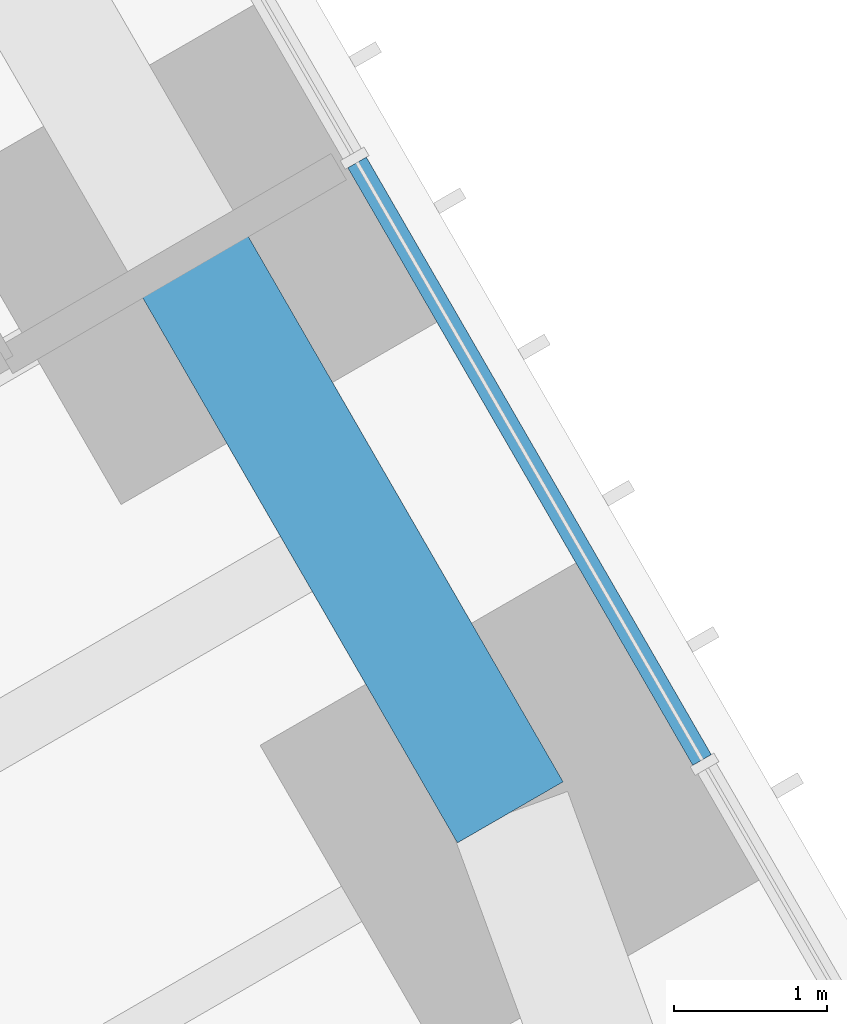
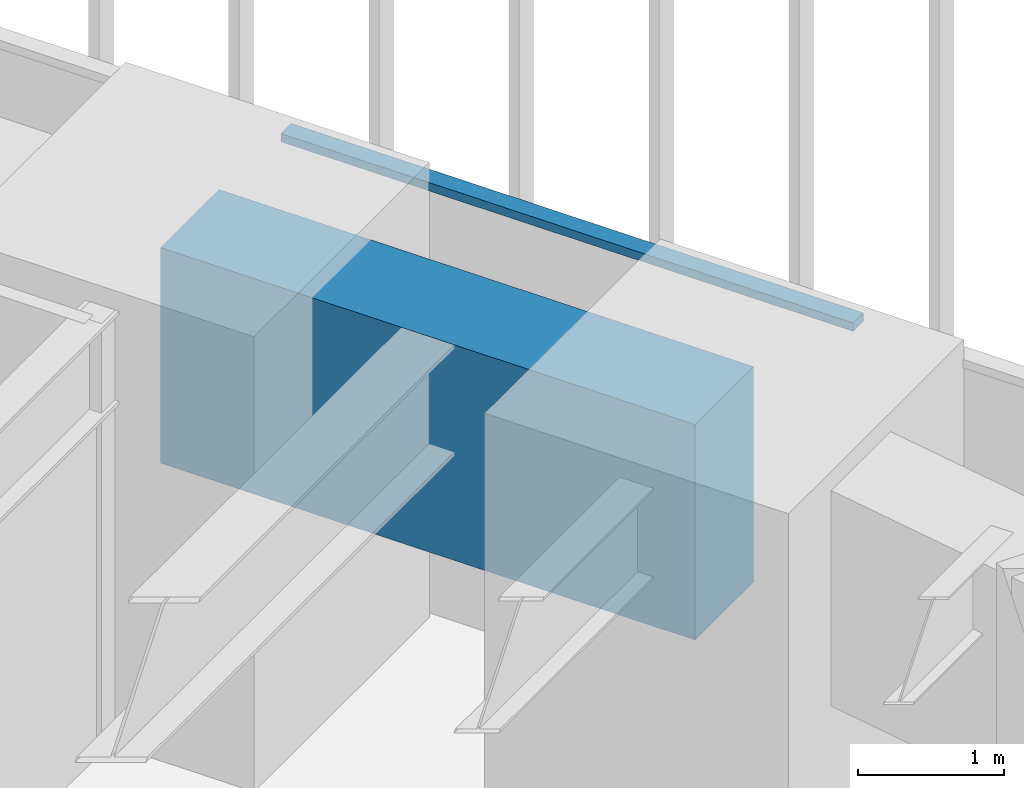
# One storey, part 205 of 256: 1 beam, 1 member, 1 element without a shape of its own.
"""IFC4 building model written with IfcOpenShell, lengths in metres."""

from ifc_helpers import new_model, si_unit, direction, frame, origin, origin_2d, place, context, subcontext, project, spatial, rectangle, extrude, material, material_profile, profile_set, type_object, element, aggregate, save


model = new_model("IFC4")

# Units and contexts
model_context = context("Model", 3, precision=1e-05, world=origin(), true_north=direction((0.0, 1.0)))
body_context = subcontext(model_context, "Body", "Model", "MODEL_VIEW")
ifc_project = project(units=[si_unit("LENGTHUNIT", "METRE"), si_unit("AREAUNIT", "SQUARE_METRE"), si_unit("VOLUMEUNIT", "CUBIC_METRE"), si_unit("PLANEANGLEUNIT", "RADIAN"), si_unit("MASSUNIT", "GRAM", prefix="KILO")], contexts=[model_context])

# Site, building, storey
site_placement = place(None, origin())
site = spatial("IfcSite", under=ifc_project, at=site_placement, CompositionType="ELEMENT")
building_placement = place(site_placement, origin())
building = spatial("IfcBuilding", under=site, at=building_placement, Name="Sandreach Pilgrim Tower", CompositionType="ELEMENT")
storey_placement = place(building_placement, frame((0.0, 0.0, 23.0)))
storey = spatial("IfcBuildingStorey", under=building, at=storey_placement, Name="L04", CompositionType="ELEMENT", Elevation=23.0)

# Curtain wall, member
ifc_material_1 = material(Name="Aluminium framed curtain wall", Category="aluminium")
curtain_wall_type = type_object("IfcCurtainWallType", Name="Hostel tower curtain wall", PredefinedType="NOTDEFINED", material=ifc_material_1)
curtain_wall_placement = place(storey_placement, origin())
curtain_wall = element("IfcCurtainWall", 1, at=curtain_wall_placement, inside=storey, type_object=curtain_wall_type, Name="CW-1 L04 NE", PredefinedType="NOTDEFINED")
ifc_material_2 = material(Name="Aluminium extrusion", Category="aluminium")
ifc_material_profile_1 = material_profile(ifc_material_2, rectangle(XDim=0.139892578125, YDim=0.070068359375, at=origin_2d()), Name="CW-1T 140X70")
ifc_profile_set_1 = profile_set([ifc_material_profile_1], Name="Aluminium extrusion")
member_type = type_object("IfcMemberType", Name="CW-1 transom", PredefinedType="USERDEFINED", material=ifc_profile_set_1)
member_placement = place(storey_placement, frame((26.00634765625, 14.977294921875, 3.60498046875), z_axis=(0.500001366228, -0.866024614991, 0.0), x_axis=(0.866024614991, 0.500001366228, 0.0)))
member = element("IfcMember", 2, at=member_placement, type_object=member_type, Name="CW-1 head transom 3", ObjectType="TRANSOM", PredefinedType="USERDEFINED", context=body_context, shape_type="SweptSolid", body=[
    extrude(rectangle(XDim=0.139892578125, YDim=0.070068359375, at=origin_2d()), origin(), (0.0, 0.0, 1.0), 4.52099609375),
])
aggregate(curtain_wall, [member])

# Beam
ifc_material_3 = material(Name="Concrete 10000 psi", Category="concrete")
ifc_material_profile_2 = material_profile(ifc_material_3, rectangle(XDim=0.800048828125, YDim=1.800048828125, at=origin_2d()), Name="RC800X1800")
ifc_profile_set_2 = profile_set([ifc_material_profile_2], Name="Concrete 10000 psi")
beam_type = type_object("IfcBeamType", Name="Spandrel beam RC800X1800", PredefinedType="SPANDREL", material=ifc_profile_set_2)
beam_placement = place(storey_placement, frame((24.89892578125, 14.37548828125, 2.739990234375), z_axis=(0.500019412692, -0.866014195571, 0.0), x_axis=(0.866014195571, 0.500019412692, 0.0)))
element("IfcBeam", 3, at=beam_placement, inside=storey, type_object=beam_type, Name="BM L04 SP11", PredefinedType="SPANDREL", context=body_context, shape_type="SweptSolid", body=[
    extrude(rectangle(XDim=0.800048828125, YDim=1.800048828125, at=origin_2d()), origin(), (0.0, 0.0, 1.0), 4.222412109375),
])

save(model, "model.ifc")
